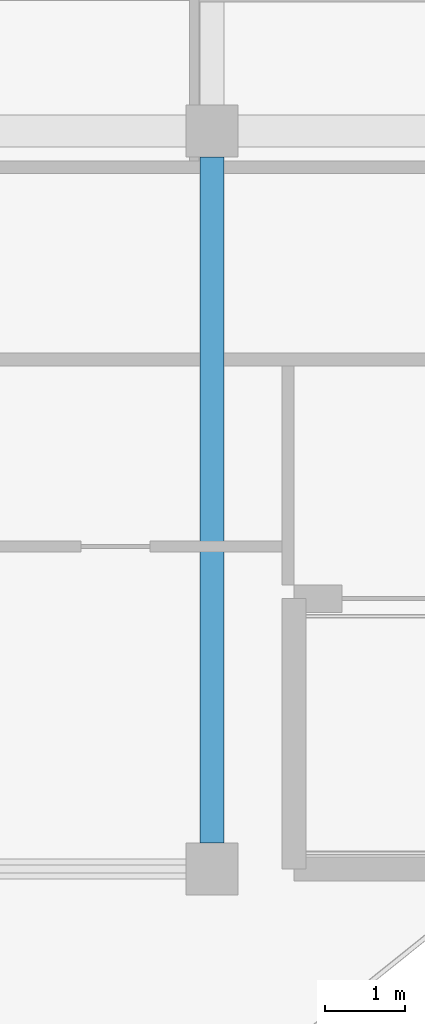
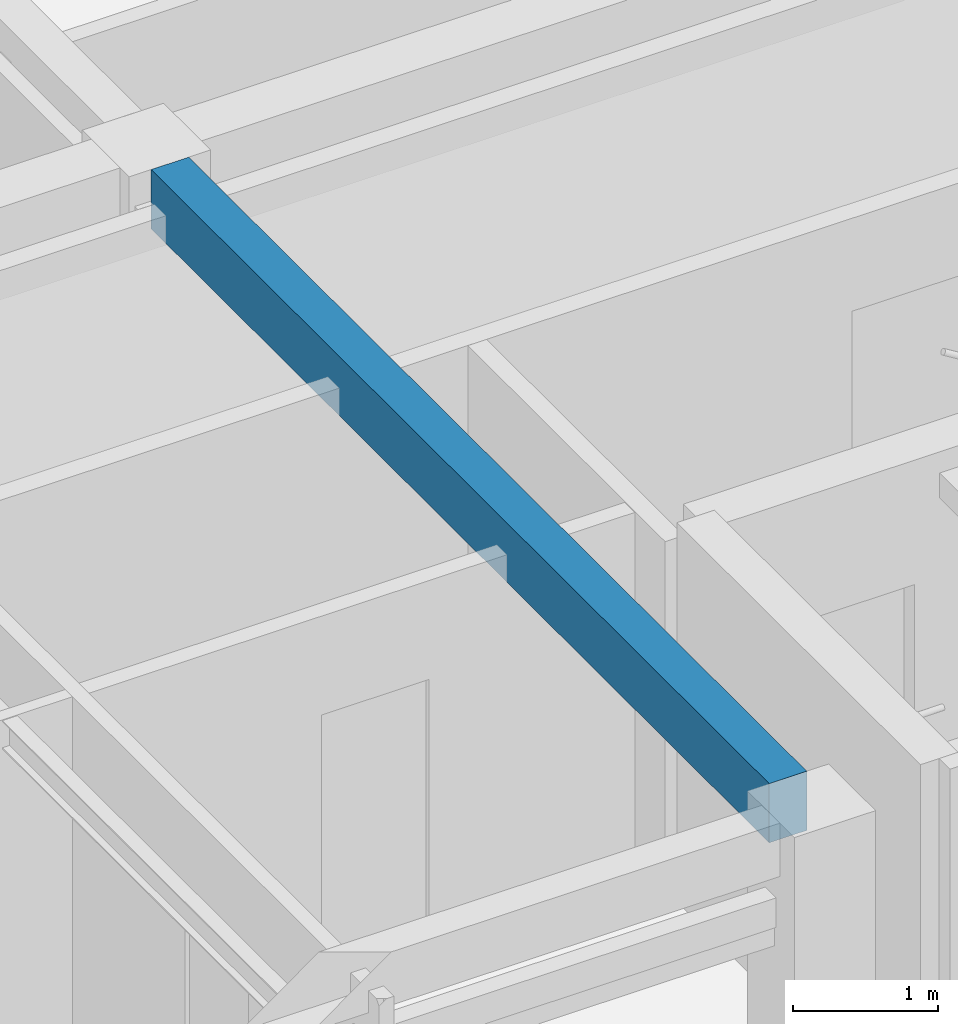
# One storey, part 50 of 128: 1 beam.
"""IFC4 building model written with IfcOpenShell, lengths in metres."""

from ifc_helpers import new_model, si_unit, direction, frame, origin, origin_2d, place, context, subcontext, project, spatial, rectangle, extrude, material, material_profile, profile_set, type_object, element, save


model = new_model("IFC4")

# Units and contexts
model_context = context("Model", 3, precision=1e-05, world=origin(), true_north=direction((0.0, 1.0)))
body_context = subcontext(model_context, "Body", "Model", "MODEL_VIEW")
ifc_project = project(units=[si_unit("LENGTHUNIT", "METRE"), si_unit("AREAUNIT", "SQUARE_METRE"), si_unit("VOLUMEUNIT", "CUBIC_METRE"), si_unit("PLANEANGLEUNIT", "RADIAN"), si_unit("MASSUNIT", "GRAM", prefix="KILO")], contexts=[model_context])

# Site, building, storey
site_placement = place(None, origin())
site = spatial("IfcSite", under=ifc_project, at=site_placement, CompositionType="ELEMENT")
building_placement = place(site_placement, origin())
building = spatial("IfcBuilding", under=site, at=building_placement, Name="Keldmere Railside Commons", CompositionType="ELEMENT")
storey_placement = place(building_placement, frame((0.0, 0.0, 4.159912109375)))
storey = spatial("IfcBuildingStorey", under=building, at=storey_placement, Name="L01", CompositionType="ELEMENT", Elevation=4.159912109375)

# Beam
ifc_material = material(Name="Concrete H-30 (C30/37)", Category="concrete")
ifc_material_profile = material_profile(ifc_material, rectangle(XDim=0.300048828125, YDim=0.5, at=origin_2d()), Name="RC-300x500")
ifc_profile_set = profile_set([ifc_material_profile], Name="Concrete H-30 (C30/37)")
beam_type = type_object("IfcBeamType", Name="Secondary Frame RC Beam 300x500", PredefinedType="BEAM", material=ifc_profile_set)
beam_placement = place(storey_placement, frame((72.830078125, 100.77490234375, 2.9501953125), z_axis=(0.0, 1.0, 0.0), x_axis=(-1.0, 0.0, 0.0)))
element("IfcBeam", 1, at=beam_placement, inside=storey, type_object=beam_type, Name="BG-5 BM-L01-0908", PredefinedType="BEAM", context=body_context, shape_type="SweptSolid", body=[
    extrude(rectangle(XDim=0.300048828125, YDim=0.5, at=origin_2d()), origin(), (0.0, 0.0, 1.0), 8.550048828125),
])

save(model, "model.ifc")
